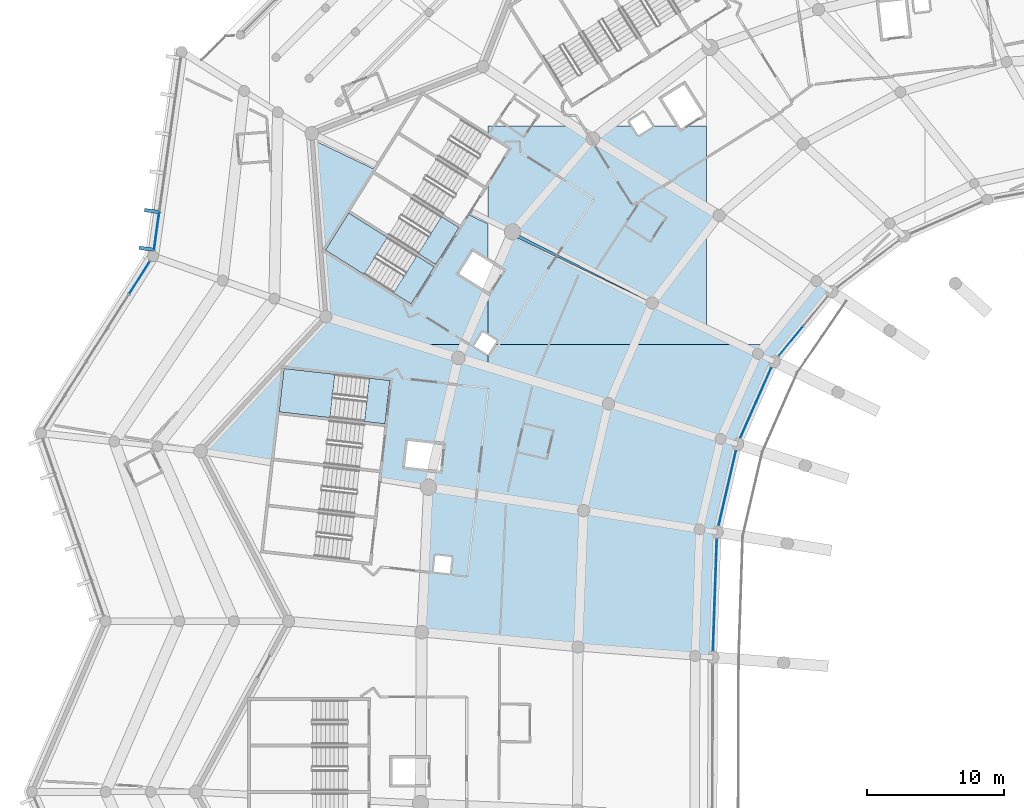
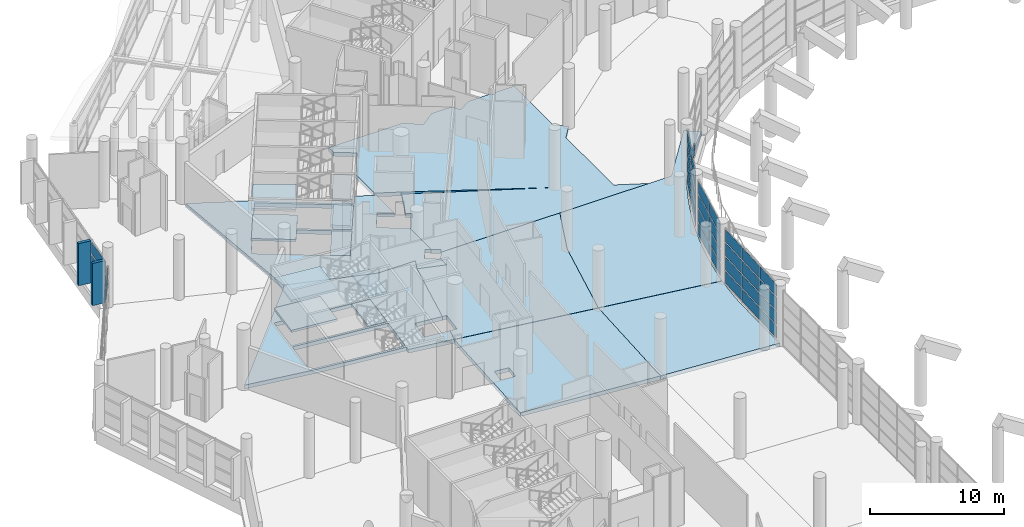
# One storey, part 140 of 271: 35 plates, 18 slabs, 9 elements without a shape of their own.
"""IFC4 building model written with IfcOpenShell, lengths in metres."""

from ifc_helpers import new_model, si_unit, direction, frame, origin, origin_2d, place, context, subcontext, project, spatial, polyline, rectangle, outline, extrude, material, layer, layer_set, type_object, element, aggregate, save


model = new_model("IFC4")

# Units and contexts
model_context = context("Model", 3, precision=1e-05, world=origin(), true_north=direction((0.0, 1.0)))
body_context = subcontext(model_context, "Body", "Model", "MODEL_VIEW")
ifc_project = project(units=[si_unit("LENGTHUNIT", "METRE"), si_unit("AREAUNIT", "SQUARE_METRE"), si_unit("VOLUMEUNIT", "CUBIC_METRE"), si_unit("PLANEANGLEUNIT", "RADIAN"), si_unit("MASSUNIT", "GRAM", prefix="KILO")], contexts=[model_context])

# Site, building, storey
site_placement = place(None, origin())
site = spatial("IfcSite", under=ifc_project, at=site_placement, CompositionType="ELEMENT")
building_placement = place(site_placement, origin())
building = spatial("IfcBuilding", under=site, at=building_placement, Name="Meseta Stadium", CompositionType="ELEMENT")
storey_placement = place(building_placement, frame((0.0, 0.0, 6.5)))
storey = spatial("IfcBuildingStorey", under=building, at=storey_placement, Name="L01", CompositionType="ELEMENT", Elevation=6.5)

# Curtain wall, plate
ifc_material_1 = material(Name="Aluminium", Category="aluminium")
ifc_layer_1 = layer(ifc_material_1, 0.199951171875)
ifc_layer_set_1 = layer_set([ifc_layer_1], Name="Club glazing curtain wall")
curtain_wall_type_1 = type_object("IfcCurtainWallType", Name="Club glazing curtain wall", PredefinedType="NOTDEFINED", material=ifc_layer_set_1)
curtain_wall_1_placement = place(storey_placement, origin())
curtain_wall_1 = element("IfcCurtainWall", 1, at=curtain_wall_1_placement, inside=storey, type_object=curtain_wall_type_1, Name="Club glazing bay 25", PredefinedType="NOTDEFINED")
ifc_material_2 = material(Name="Glass", Category="glass")
ifc_layer_2 = layer(ifc_material_2, 0.028076171875)
ifc_layer_set_2 = layer_set([ifc_layer_2], Name="CW glass panel 28")
plate_type_1 = type_object("IfcPlateType", Name="CW glass panel 28", PredefinedType="CURTAIN_PANEL", material=ifc_layer_set_2)
plate_1_placement = place(storey_placement, frame((-57.818359375, 64.260498046875, 0.1201171875), z_axis=(0.0, 0.0, 1.0), x_axis=(-0.63574102663, -0.771902420685, 0.0)))
plate_1 = element("IfcPlate", 2, at=plate_1_placement, type_object=plate_type_1, Name="CWC panel 2.1", PredefinedType="CURTAIN_PANEL", context=body_context, shape_type="SweptSolid", body=[
    extrude(rectangle(XDim=2.7646484375, YDim=0.028076171875, at=origin_2d()), origin(), (0.0, 0.0, 1.0), 1.107421875),
])
aggregate(curtain_wall_1, [plate_1])

# Curtain wall, plates
curtain_wall_2_placement = place(storey_placement, origin())
curtain_wall_2 = element("IfcCurtainWall", 3, at=curtain_wall_2_placement, inside=storey, type_object=curtain_wall_type_1, Name="Club glazing bay 26", PredefinedType="NOTDEFINED")
plate_2_placement = place(storey_placement, frame((-59.820068359375, 61.021484375, 0.1201171875), z_axis=(0.0, 0.0, 1.0), x_axis=(-0.404230353712, -0.914657215102, 0.0)))
plate_2 = element("IfcPlate", 4, at=plate_2_placement, type_object=plate_type_1, Name="CWC panel 1.1", PredefinedType="CURTAIN_PANEL", context=body_context, shape_type="SweptSolid", body=[
    extrude(rectangle(XDim=2.737060546875, YDim=0.028076171875, at=origin_2d()), origin(), (0.0, 0.0, 1.0), 1.107421875),
])
plate_3_placement = place(storey_placement, frame((-59.820068359375, 61.021484375, 1.347412109375), z_axis=(0.0, 0.0, 1.0), x_axis=(-0.404230353712, -0.914657215102, 0.0)))
plate_3 = element("IfcPlate", 5, at=plate_3_placement, type_object=plate_type_1, Name="CWC panel 1.2", PredefinedType="CURTAIN_PANEL", context=body_context, shape_type="SweptSolid", body=[
    extrude(rectangle(XDim=2.737060546875, YDim=0.028076171875, at=origin_2d()), origin(), (0.0, 0.0, 1.0), 1.16748046875),
])
plate_4_placement = place(storey_placement, frame((-59.820068359375, 61.021484375, 2.635009765625), z_axis=(0.0, 0.0, 1.0), x_axis=(-0.404230353712, -0.914657215102, 0.0)))
plate_4 = element("IfcPlate", 6, at=plate_4_placement, type_object=plate_type_1, Name="CWC panel 1.3", PredefinedType="CURTAIN_PANEL", context=body_context, shape_type="SweptSolid", body=[
    extrude(rectangle(XDim=2.737060546875, YDim=0.028076171875, at=origin_2d()), origin(), (0.0, 0.0, 1.0), 1.16748046875),
])
plate_5_placement = place(storey_placement, frame((-59.820068359375, 61.021484375, 3.922607421875), z_axis=(0.0, 0.0, 1.0), x_axis=(-0.404230353712, -0.914657215102, 0.0)))
plate_5 = element("IfcPlate", 7, at=plate_5_placement, type_object=plate_type_1, Name="CWC panel 1.4", PredefinedType="CURTAIN_PANEL", context=body_context, shape_type="SweptSolid", body=[
    extrude(rectangle(XDim=2.737060546875, YDim=0.028076171875, at=origin_2d()), origin(), (0.0, 0.0, 1.0), 1.107421875),
])
plate_6_placement = place(storey_placement, frame((-60.950927734375, 58.462890625, 0.1201171875), z_axis=(0.0, 0.0, 1.0), x_axis=(-0.404230353712, -0.914657215102, 0.0)))
plate_6 = element("IfcPlate", 8, at=plate_6_placement, type_object=plate_type_1, Name="CWC panel 2.1", PredefinedType="CURTAIN_PANEL", context=body_context, shape_type="SweptSolid", body=[
    extrude(rectangle(XDim=2.737060546875, YDim=0.028076171875, at=origin_2d()), origin(), (0.0, 0.0, 1.0), 1.107421875),
])
plate_7_placement = place(storey_placement, frame((-60.950927734375, 58.462890625, 1.347412109375), z_axis=(0.0, 0.0, 1.0), x_axis=(-0.404230353712, -0.914657215102, 0.0)))
plate_7 = element("IfcPlate", 9, at=plate_7_placement, type_object=plate_type_1, Name="CWC panel 2.2", PredefinedType="CURTAIN_PANEL", context=body_context, shape_type="SweptSolid", body=[
    extrude(rectangle(XDim=2.737060546875, YDim=0.028076171875, at=origin_2d()), origin(), (0.0, 0.0, 1.0), 1.16748046875),
])
plate_8_placement = place(storey_placement, frame((-60.950927734375, 58.462890625, 2.635009765625), z_axis=(0.0, 0.0, 1.0), x_axis=(-0.404230353712, -0.914657215102, 0.0)))
plate_8 = element("IfcPlate", 10, at=plate_8_placement, type_object=plate_type_1, Name="CWC panel 2.3", PredefinedType="CURTAIN_PANEL", context=body_context, shape_type="SweptSolid", body=[
    extrude(rectangle(XDim=2.737060546875, YDim=0.028076171875, at=origin_2d()), origin(), (0.0, 0.0, 1.0), 1.16748046875),
])
plate_9_placement = place(storey_placement, frame((-60.950927734375, 58.462890625, 3.922607421875), z_axis=(0.0, 0.0, 1.0), x_axis=(-0.404230353712, -0.914657215102, 0.0)))
plate_9 = element("IfcPlate", 11, at=plate_9_placement, type_object=plate_type_1, Name="CWC panel 2.4", PredefinedType="CURTAIN_PANEL", context=body_context, shape_type="SweptSolid", body=[
    extrude(rectangle(XDim=2.737060546875, YDim=0.028076171875, at=origin_2d()), origin(), (0.0, 0.0, 1.0), 1.107421875),
])
aggregate(curtain_wall_2, [plate_2, plate_3, plate_4, plate_5, plate_6, plate_7, plate_8, plate_9])

curtain_wall_3_placement = place(storey_placement, origin())
curtain_wall_3 = element("IfcCurtainWall", 12, at=curtain_wall_3_placement, inside=storey, type_object=curtain_wall_type_1, Name="Club glazing bay 27", PredefinedType="NOTDEFINED")
plate_10_placement = place(storey_placement, frame((-62.154541015625, 54.856201171875, 0.1201171875), z_axis=(0.0, 0.0, 1.0), x_axis=(-0.226048245529, -0.974116107399, 0.0)))
plate_10 = element("IfcPlate", 13, at=plate_10_placement, type_object=plate_type_1, Name="CWC panel 1.1", PredefinedType="CURTAIN_PANEL", context=body_context, shape_type="SweptSolid", body=[
    extrude(rectangle(XDim=2.736572265625, YDim=0.028076171875, at=origin_2d()), origin(), (0.0, 0.0, 1.0), 1.107421875),
])
plate_11_placement = place(storey_placement, frame((-62.154541015625, 54.856201171875, 1.347412109375), z_axis=(0.0, 0.0, 1.0), x_axis=(-0.226048245529, -0.974116107399, 0.0)))
plate_11 = element("IfcPlate", 14, at=plate_11_placement, type_object=plate_type_1, Name="CWC panel 1.2", PredefinedType="CURTAIN_PANEL", context=body_context, shape_type="SweptSolid", body=[
    extrude(rectangle(XDim=2.736572265625, YDim=0.028076171875, at=origin_2d()), origin(), (0.0, 0.0, 1.0), 1.16748046875),
])
plate_12_placement = place(storey_placement, frame((-62.154541015625, 54.856201171875, 2.635009765625), z_axis=(0.0, 0.0, 1.0), x_axis=(-0.226048245529, -0.974116107399, 0.0)))
plate_12 = element("IfcPlate", 15, at=plate_12_placement, type_object=plate_type_1, Name="CWC panel 1.3", PredefinedType="CURTAIN_PANEL", context=body_context, shape_type="SweptSolid", body=[
    extrude(rectangle(XDim=2.736572265625, YDim=0.028076171875, at=origin_2d()), origin(), (0.0, 0.0, 1.0), 1.16748046875),
])
plate_13_placement = place(storey_placement, frame((-62.154541015625, 54.856201171875, 3.922607421875), z_axis=(0.0, 0.0, 1.0), x_axis=(-0.226048245529, -0.974116107399, 0.0)))
plate_13 = element("IfcPlate", 16, at=plate_13_placement, type_object=plate_type_1, Name="CWC panel 1.4", PredefinedType="CURTAIN_PANEL", context=body_context, shape_type="SweptSolid", body=[
    extrude(rectangle(XDim=2.736572265625, YDim=0.028076171875, at=origin_2d()), origin(), (0.0, 0.0, 1.0), 1.107421875),
])
plate_14_placement = place(storey_placement, frame((-62.786865234375, 52.132080078125, 0.1201171875), z_axis=(0.0, 0.0, 1.0), x_axis=(-0.226048245529, -0.974116107399, 0.0)))
plate_14 = element("IfcPlate", 17, at=plate_14_placement, type_object=plate_type_1, Name="CWC panel 2.1", PredefinedType="CURTAIN_PANEL", context=body_context, shape_type="SweptSolid", body=[
    extrude(rectangle(XDim=2.736572265625, YDim=0.028076171875, at=origin_2d()), origin(), (0.0, 0.0, 1.0), 1.107421875),
])
plate_15_placement = place(storey_placement, frame((-62.786865234375, 52.132080078125, 1.347412109375), z_axis=(0.0, 0.0, 1.0), x_axis=(-0.226048245529, -0.974116107399, 0.0)))
plate_15 = element("IfcPlate", 18, at=plate_15_placement, type_object=plate_type_1, Name="CWC panel 2.2", PredefinedType="CURTAIN_PANEL", context=body_context, shape_type="SweptSolid", body=[
    extrude(rectangle(XDim=2.736572265625, YDim=0.028076171875, at=origin_2d()), origin(), (0.0, 0.0, 1.0), 1.16748046875),
])
plate_16_placement = place(storey_placement, frame((-62.786865234375, 52.132080078125, 2.635009765625), z_axis=(0.0, 0.0, 1.0), x_axis=(-0.226048245529, -0.974116107399, 0.0)))
plate_16 = element("IfcPlate", 19, at=plate_16_placement, type_object=plate_type_1, Name="CWC panel 2.3", PredefinedType="CURTAIN_PANEL", context=body_context, shape_type="SweptSolid", body=[
    extrude(rectangle(XDim=2.736572265625, YDim=0.028076171875, at=origin_2d()), origin(), (0.0, 0.0, 1.0), 1.16748046875),
])
plate_17_placement = place(storey_placement, frame((-62.786865234375, 52.132080078125, 3.922607421875), z_axis=(0.0, 0.0, 1.0), x_axis=(-0.226048245529, -0.974116107399, 0.0)))
plate_17 = element("IfcPlate", 20, at=plate_17_placement, type_object=plate_type_1, Name="CWC panel 2.4", PredefinedType="CURTAIN_PANEL", context=body_context, shape_type="SweptSolid", body=[
    extrude(rectangle(XDim=2.736572265625, YDim=0.028076171875, at=origin_2d()), origin(), (0.0, 0.0, 1.0), 1.107421875),
])
aggregate(curtain_wall_3, [plate_10, plate_11, plate_12, plate_13, plate_14, plate_15, plate_16, plate_17])

curtain_wall_4_placement = place(storey_placement, origin())
curtain_wall_4 = element("IfcCurtainWall", 21, at=curtain_wall_4_placement, inside=storey, type_object=curtain_wall_type_1, Name="Club glazing bay 28", PredefinedType="NOTDEFINED")
plate_18_placement = place(storey_placement, frame((-63.282470703125, 48.40283203125, 0.1201171875), z_axis=(0.0, 0.0, 1.0), x_axis=(-0.034398287063, -0.999408203812, 0.0)))
plate_18 = element("IfcPlate", 22, at=plate_18_placement, type_object=plate_type_1, Name="CWC panel 1.1", PredefinedType="CURTAIN_PANEL", context=body_context, shape_type="SweptSolid", body=[
    extrude(rectangle(XDim=2.6572265625, YDim=0.028076171875, at=origin_2d()), origin(), (0.0, 0.0, 1.0), 1.107421875),
])
plate_19_placement = place(storey_placement, frame((-63.282470703125, 48.40283203125, 1.347412109375), z_axis=(0.0, 0.0, 1.0), x_axis=(-0.034398287063, -0.999408203812, 0.0)))
plate_19 = element("IfcPlate", 23, at=plate_19_placement, type_object=plate_type_1, Name="CWC panel 1.2", PredefinedType="CURTAIN_PANEL", context=body_context, shape_type="SweptSolid", body=[
    extrude(rectangle(XDim=2.6572265625, YDim=0.028076171875, at=origin_2d()), origin(), (0.0, 0.0, 1.0), 1.16748046875),
])
plate_20_placement = place(storey_placement, frame((-63.282470703125, 48.40283203125, 2.635009765625), z_axis=(0.0, 0.0, 1.0), x_axis=(-0.034398287063, -0.999408203812, 0.0)))
plate_20 = element("IfcPlate", 24, at=plate_20_placement, type_object=plate_type_1, Name="CWC panel 1.3", PredefinedType="CURTAIN_PANEL", context=body_context, shape_type="SweptSolid", body=[
    extrude(rectangle(XDim=2.6572265625, YDim=0.028076171875, at=origin_2d()), origin(), (0.0, 0.0, 1.0), 1.16748046875),
])
plate_21_placement = place(storey_placement, frame((-63.282470703125, 48.40283203125, 3.922607421875), z_axis=(0.0, 0.0, 1.0), x_axis=(-0.034398287063, -0.999408203812, 0.0)))
plate_21 = element("IfcPlate", 25, at=plate_21_placement, type_object=plate_type_1, Name="CWC panel 1.4", PredefinedType="CURTAIN_PANEL", context=body_context, shape_type="SweptSolid", body=[
    extrude(rectangle(XDim=2.6572265625, YDim=0.028076171875, at=origin_2d()), origin(), (0.0, 0.0, 1.0), 1.107421875),
])
plate_22_placement = place(storey_placement, frame((-63.37646484375, 45.672119140625, 0.1201171875), z_axis=(0.0, 0.0, 1.0), x_axis=(-0.034398287063, -0.999408203812, 0.0)))
plate_22 = element("IfcPlate", 26, at=plate_22_placement, type_object=plate_type_1, Name="CWC panel 2.1", PredefinedType="CURTAIN_PANEL", context=body_context, shape_type="SweptSolid", body=[
    extrude(rectangle(XDim=2.687255859375, YDim=0.028076171875, at=origin_2d()), origin(), (0.0, 0.0, 1.0), 1.107421875),
])
plate_23_placement = place(storey_placement, frame((-63.37646484375, 45.672119140625, 1.347412109375), z_axis=(0.0, 0.0, 1.0), x_axis=(-0.034398287063, -0.999408203812, 0.0)))
plate_23 = element("IfcPlate", 27, at=plate_23_placement, type_object=plate_type_1, Name="CWC panel 2.2", PredefinedType="CURTAIN_PANEL", context=body_context, shape_type="SweptSolid", body=[
    extrude(rectangle(XDim=2.687255859375, YDim=0.028076171875, at=origin_2d()), origin(), (0.0, 0.0, 1.0), 1.16748046875),
])
plate_24_placement = place(storey_placement, frame((-63.37646484375, 45.672119140625, 2.635009765625), z_axis=(0.0, 0.0, 1.0), x_axis=(-0.034398287063, -0.999408203812, 0.0)))
plate_24 = element("IfcPlate", 28, at=plate_24_placement, type_object=plate_type_1, Name="CWC panel 2.3", PredefinedType="CURTAIN_PANEL", context=body_context, shape_type="SweptSolid", body=[
    extrude(rectangle(XDim=2.687255859375, YDim=0.028076171875, at=origin_2d()), origin(), (0.0, 0.0, 1.0), 1.16748046875),
])
plate_25_placement = place(storey_placement, frame((-63.37646484375, 45.672119140625, 3.922607421875), z_axis=(0.0, 0.0, 1.0), x_axis=(-0.034398287063, -0.999408203812, 0.0)))
plate_25 = element("IfcPlate", 29, at=plate_25_placement, type_object=plate_type_1, Name="CWC panel 2.4", PredefinedType="CURTAIN_PANEL", context=body_context, shape_type="SweptSolid", body=[
    extrude(rectangle(XDim=2.687255859375, YDim=0.028076171875, at=origin_2d()), origin(), (0.0, 0.0, 1.0), 1.107421875),
])
plate_26_placement = place(storey_placement, frame((-63.470458984375, 42.941650390625, 0.1201171875), z_axis=(0.0, 0.0, 1.0), x_axis=(-0.034398287063, -0.999408203812, 0.0)))
plate_26 = element("IfcPlate", 30, at=plate_26_placement, type_object=plate_type_1, Name="CWC panel 3.1", PredefinedType="CURTAIN_PANEL", context=body_context, shape_type="SweptSolid", body=[
    extrude(rectangle(XDim=2.6572265625, YDim=0.028076171875, at=origin_2d()), origin(), (0.0, 0.0, 1.0), 1.107421875),
])
plate_27_placement = place(storey_placement, frame((-63.470458984375, 42.941650390625, 1.347412109375), z_axis=(0.0, 0.0, 1.0), x_axis=(-0.034398287063, -0.999408203812, 0.0)))
plate_27 = element("IfcPlate", 31, at=plate_27_placement, type_object=plate_type_1, Name="CWC panel 3.2", PredefinedType="CURTAIN_PANEL", context=body_context, shape_type="SweptSolid", body=[
    extrude(rectangle(XDim=2.6572265625, YDim=0.028076171875, at=origin_2d()), origin(), (0.0, 0.0, 1.0), 1.16748046875),
])
plate_28_placement = place(storey_placement, frame((-63.470458984375, 42.941650390625, 2.635009765625), z_axis=(0.0, 0.0, 1.0), x_axis=(-0.034398287063, -0.999408203812, 0.0)))
plate_28 = element("IfcPlate", 32, at=plate_28_placement, type_object=plate_type_1, Name="CWC panel 3.3", PredefinedType="CURTAIN_PANEL", context=body_context, shape_type="SweptSolid", body=[
    extrude(rectangle(XDim=2.6572265625, YDim=0.028076171875, at=origin_2d()), origin(), (0.0, 0.0, 1.0), 1.16748046875),
])
plate_29_placement = place(storey_placement, frame((-63.470458984375, 42.941650390625, 3.922607421875), z_axis=(0.0, 0.0, 1.0), x_axis=(-0.034398287063, -0.999408203812, 0.0)))
plate_29 = element("IfcPlate", 33, at=plate_29_placement, type_object=plate_type_1, Name="CWC panel 3.4", PredefinedType="CURTAIN_PANEL", context=body_context, shape_type="SweptSolid", body=[
    extrude(rectangle(XDim=2.6572265625, YDim=0.028076171875, at=origin_2d()), origin(), (0.0, 0.0, 1.0), 1.107421875),
])
aggregate(curtain_wall_4, [plate_18, plate_19, plate_20, plate_21, plate_22, plate_23, plate_24, plate_25, plate_26, plate_27, plate_28, plate_29])

# Slabs
ifc_material_3 = material(Name="Concrete C40/50", Category="concrete")
ifc_layer_3 = layer(ifc_material_3, 0.35009765625)
ifc_layer_set_3 = layer_set([ifc_layer_3], Name="Floor slab 350")
slab_type_1 = type_object("IfcSlabType", Name="Floor slab 350", PredefinedType="FLOOR", material=ifc_layer_set_3)
slab_1_placement = place(storey_placement, frame((0.0, 0.0, -0.35009765625)))
element("IfcSlab", 34, at=slab_1_placement, inside=storey, type_object=slab_type_1, Name="Floor slab L01 sector 21 panel 01", PredefinedType="FLOOR", context=body_context, shape_type="SweptSolid", body=[
    extrude(outline(polyline([(-87.94580078125, 54.62548828125), (-87.985595703125, 54.272216796875), (-84.335693359375, 53.684326171875), (-84.0673828125, 54.842529296875), (-86.08447265625, 55.06982421875), (-85.87158203125, 56.9580078125), (-83.635498046875, 56.7060546875), (-82.169189453125, 63.03369140625), (-81.75390625, 64.0), (-84.956787109375, 64.0), (-91.8818359375, 66.171142578125), (-91.872802734375, 66.051513671875), (-100.910888671875, 56.353759765625), (-95.3837890625, 55.463623046875), (-87.94580078125, 54.62548828125)]), holes=[polyline([(-95.67431640625, 55.697509765625), (-95.316162109375, 58.87744140625), (-87.565185546875, 58.004150390625), (-87.923583984375, 54.82421875), (-95.67431640625, 55.697509765625)]), polyline([(-95.293701171875, 59.076171875), (-94.935302734375, 62.256103515625), (-87.1845703125, 61.3828125), (-87.542724609375, 58.202880859375), (-95.293701171875, 59.076171875)])]), origin(), (0.0, 0.0, 1.0), 0.35009765625),
])
slab_2_placement = place(storey_placement, frame((0.0, 0.0, -0.35009765625)))
element("IfcSlab", 35, at=slab_2_placement, inside=storey, type_object=slab_type_1, Name="Floor slab L01 sector 21 panel 02", PredefinedType="FLOOR", context=body_context, shape_type="SweptSolid", body=[
    extrude(outline(polyline([(-80.0, 70.12353515625), (-80.0, 72.84228515625), (-81.504150390625, 73.565673828125), (-82.01708984375, 72.749267578125), (-88.282958984375, 76.686279296875), (-88.2158203125, 76.793212890625), (-92.87451171875, 79.03369140625), (-91.8818359375, 66.171142578125), (-84.956787109375, 64.0), (-81.75390625, 64.0), (-82.169189453125, 63.03369140625), (-80.0, 62.371826171875), (-80.0, 63.273681640625), (-81.015625, 63.91162109375), (-80.377197265625, 64.927734375), (-80.0, 64.69091796875), (-80.0, 67.879638671875), (-82.11572265625, 69.208984375), (-81.10498046875, 70.81787109375), (-80.0, 70.12353515625)]), holes=[polyline([(-91.90087890625, 70.9287109375), (-90.1982421875, 73.63818359375), (-83.9326171875, 69.700927734375), (-85.635009765625, 66.991455078125), (-91.90087890625, 70.9287109375)]), polyline([(-90.091796875, 73.807373046875), (-88.389404296875, 76.516845703125), (-82.123779296875, 72.579833984375), (-83.826171875, 69.870361328125), (-90.091796875, 73.807373046875)])]), origin(), (0.0, 0.0, 1.0), 0.35009765625),
])
slab_3_placement = place(storey_placement, frame((0.0, 0.0, -0.35009765625)))
element("IfcSlab", 36, at=slab_3_placement, inside=storey, type_object=slab_type_1, Name="Floor slab L01 sector 21 panel 04", PredefinedType="FLOOR", context=body_context, shape_type="SweptSolid", body=[
    extrude(outline(polyline([(-80.0, 62.371826171875), (-82.169189453125, 63.03369140625), (-83.635498046875, 56.7060546875), (-83.2880859375, 56.6669921875), (-83.500732421875, 54.77880859375), (-84.0673828125, 54.842529296875), (-84.335693359375, 53.684326171875), (-72.989990234375, 51.85693359375), (-71.169677734375, 59.67724609375), (-69.297119140625, 64.0), (-79.54296875, 64.0), (-79.99951171875, 63.273193359375), (-80.0, 62.371826171875)])), origin(), (0.0, 0.0, 1.0), 0.35009765625),
])
slab_4_placement = place(storey_placement, frame((0.0, 0.0, -0.35009765625)))
element("IfcSlab", 37, at=slab_4_placement, inside=storey, type_object=slab_type_1, Name="Floor slab L01 sector 21 panel 05", PredefinedType="FLOOR", context=body_context, shape_type="SweptSolid", body=[
    extrude(outline(polyline([(-67.973388671875, 67.058349609375), (-78.197998046875, 72.27197265625), (-78.303466796875, 72.0263671875), (-67.973388671875, 67.058349609375)])), origin(), (0.0, 0.0, 1.0), 0.35009765625),
])
slab_5_placement = place(storey_placement, frame((0.0, 0.0, -0.35009765625)))
element("IfcSlab", 38, at=slab_5_placement, inside=storey, type_object=slab_type_1, Name="Floor slab L01 sector 21 panel 06", PredefinedType="FLOOR", context=body_context, shape_type="SweptSolid", body=[
    extrude(outline(polyline([(-67.967041015625, 79.9794921875), (-68.983154296875, 79.341064453125), (-69.397216796875, 80.0), (-71.144287109375, 80.0), (-72.31201171875, 79.091064453125), (-73.699951171875, 80.0), (-80.0, 80.0), (-80.0, 79.276611328125), (-78.505859375, 78.337646484375), (-80.0, 75.959716796875), (-80.0, 73.154296875), (-78.197998046875, 72.27197265625), (-67.972412109375, 67.057861328125), (-78.303466796875, 72.0263671875), (-79.308349609375, 69.68896484375), (-78.903564453125, 69.4345703125), (-79.914306640625, 67.82568359375), (-80.0, 67.879638671875), (-80.0, 64.69091796875), (-79.361083984375, 64.289306640625), (-79.54296875, 64.0), (-61.6142578125, 64.0), (-64.0, 65.1474609375), (-64.0, 72.251708984375), (-63.068115234375, 73.469970703125), (-64.0, 74.098876953125), (-64.0, 80.0), (-65.585205078125, 80.0), (-65.86279296875, 79.82568359375), (-65.972412109375, 80.0), (-67.97998046875, 80.0), (-67.967041015625, 79.9794921875)])), origin(), (0.0, 0.0, 1.0), 0.35009765625),
])
slab_6_placement = place(storey_placement, frame((0.0, 0.0, -0.35009765625)))
element("IfcSlab", 39, at=slab_6_placement, inside=storey, type_object=slab_type_1, Name="Floor slab L01 sector 21 panel 08", PredefinedType="FLOOR", context=body_context, shape_type="SweptSolid", body=[
    extrude(outline(polyline([(-59.049072265625, 62.766357421875), (-58.428955078125, 63.688232421875), (-57.773681640625, 64.585693359375), (-57.083984375, 65.456787109375), (-56.361083984375, 66.30078125), (-55.60595703125, 67.1162109375), (-54.819580078125, 67.901611328125), (-55.940185546875, 68.658203125), (-59.68408203125, 64.0), (-69.297119140625, 64.0), (-71.169677734375, 59.67724609375), (-72.989990234375, 51.85693359375), (-63.216796875, 50.282958984375), (-63.052001953125, 51.3642578125), (-62.8525390625, 52.449951171875), (-62.61962890625, 53.52880859375), (-62.353515625, 54.60009765625), (-62.0546875, 55.66259765625), (-61.72314453125, 56.715576171875), (-61.359375, 57.7578125), (-60.96337890625, 58.7880859375), (-60.535888671875, 59.80615234375), (-60.077392578125, 60.810791015625), (-59.587890625, 61.80078125), (-59.049072265625, 62.766357421875)])), origin(), (0.0, 0.0, 1.0), 0.35009765625),
])
slab_7_placement = place(storey_placement, frame((0.0, 0.0, -0.35009765625)))
element("IfcSlab", 40, at=slab_7_placement, inside=storey, type_object=slab_type_1, Name="Floor slab L01 sector 28 panel 14", PredefinedType="FLOOR", context=body_context, shape_type="SweptSolid", body=[
    extrude(outline(polyline([(-72.99267578125, 51.837158203125), (-84.34033203125, 53.664794921875), (-84.36328125, 53.5654296875), (-84.85400390625, 42.948486328125), (-73.40478515625, 41.8623046875), (-72.99267578125, 51.837158203125)]), holes=[polyline([(-83.84716796875, 48.57861328125), (-82.65478515625, 48.444091796875), (-82.7890625, 47.251708984375), (-83.9814453125, 47.385986328125), (-83.84716796875, 48.57861328125)])]), origin(), (0.0, 0.0, 1.0), 0.35009765625),
])
slab_8_placement = place(storey_placement, frame((0.0, 0.0, -0.35009765625)))
element("IfcSlab", 41, at=slab_8_placement, inside=storey, type_object=slab_type_1, Name="Floor slab L01 sector 28 panel 21", PredefinedType="FLOOR", context=body_context, shape_type="SweptSolid", body=[
    extrude(outline(polyline([(-72.99267578125, 51.837158203125), (-73.40478515625, 41.8623046875), (-63.53369140625, 41.1044921875), (-63.513427734375, 46.974853515625), (-63.448974609375, 48.077392578125), (-63.3505859375, 49.177001953125), (-63.219482421875, 50.26318359375), (-72.99267578125, 51.837158203125)])), origin(), (0.0, 0.0, 1.0), 0.35009765625),
])

# Curtain wall, plates
ifc_material_4 = material(Name="Aluminium", Category="aluminium")
ifc_layer_4 = layer(ifc_material_4, 0.199951171875)
ifc_layer_set_4 = layer_set([ifc_layer_4], Name="Ring shopfront curtain wall")
curtain_wall_type_2 = type_object("IfcCurtainWallType", Name="Ring shopfront curtain wall", PredefinedType="NOTDEFINED", material=ifc_layer_set_4)
curtain_wall_5_placement = place(storey_placement, origin())
curtain_wall_5 = element("IfcCurtainWall", 42, at=curtain_wall_5_placement, inside=storey, type_object=curtain_wall_type_2, Name="Ring glazing L01 F26", PredefinedType="NOTDEFINED")
ifc_material_5 = material(Name="Glass", Category="glass")
ifc_layer_5 = layer(ifc_material_5, 0.035888671875)
ifc_layer_set_5 = layer_set([ifc_layer_5], Name="Ring CW glass panel 36")
plate_type_2 = type_object("IfcPlateType", Name="Ring CW glass panel 36", PredefinedType="CURTAIN_PANEL", material=ifc_layer_set_5)
plate_30_placement = place(storey_placement, frame((-104.2646484375, 72.306640625, 0.14990234375), z_axis=(0.0, 0.0, 1.0), x_axis=(-0.13864277713, -0.990342456098, 0.0)))
plate_30 = element("IfcPlate", 43, at=plate_30_placement, type_object=plate_type_2, Name="CWR1 panel 5.1", PredefinedType="CURTAIN_PANEL", context=body_context, shape_type="SweptSolid", body=[
    extrude(rectangle(XDim=2.7744140625, YDim=0.035888671875, at=origin_2d()), origin(), (0.0, 0.0, 1.0), 1.058349609375),
])
plate_31_placement = place(storey_placement, frame((-104.2646484375, 72.306640625, 1.3583984375), z_axis=(0.0, 0.0, 1.0), x_axis=(-0.13864277713, -0.990342456098, 0.0)))
plate_31 = element("IfcPlate", 44, at=plate_31_placement, type_object=plate_type_2, Name="CWR1 panel 5.2", PredefinedType="CURTAIN_PANEL", context=body_context, shape_type="SweptSolid", body=[
    extrude(rectangle(XDim=2.7744140625, YDim=0.035888671875, at=origin_2d()), origin(), (0.0, 0.0, 1.0), 1.13330078125),
])
plate_32_placement = place(storey_placement, frame((-104.2646484375, 72.306640625, 2.6416015625), z_axis=(0.0, 0.0, 1.0), x_axis=(-0.13864277713, -0.990342456098, 0.0)))
plate_32 = element("IfcPlate", 45, at=plate_32_placement, type_object=plate_type_2, Name="CWR1 panel 5.3", PredefinedType="CURTAIN_PANEL", context=body_context, shape_type="SweptSolid", body=[
    extrude(rectangle(XDim=2.7744140625, YDim=0.035888671875, at=origin_2d()), origin(), (0.0, 0.0, 1.0), 1.058349609375),
])
aggregate(curtain_wall_5, [plate_30, plate_31, plate_32])

# Curtain wall, plate
curtain_wall_6_placement = place(storey_placement, origin())
curtain_wall_6 = element("IfcCurtainWall", 46, at=curtain_wall_6_placement, inside=storey, type_object=curtain_wall_type_2, Name="Ring glazing L01 F27", PredefinedType="NOTDEFINED")
plate_33_placement = place(storey_placement, frame((-105.52197265625, 68.898681640625, 2.6416015625), z_axis=(0.0, 0.0, 1.0), x_axis=(-0.535569055659, -0.844491436677, 0.0)))
plate_33 = element("IfcPlate", 47, at=plate_33_placement, type_object=plate_type_2, Name="CWR1 panel 1.3", PredefinedType="CURTAIN_PANEL", context=body_context, shape_type="SweptSolid", body=[
    extrude(rectangle(XDim=2.81884765625, YDim=0.035888671875, at=origin_2d()), origin(), (0.0, 0.0, 1.0), 1.058349609375),
])
aggregate(curtain_wall_6, [plate_33])

# Plates
ifc_material_6 = material(Name="Precast concrete C40/50", Category="concrete")
ifc_layer_6 = layer(ifc_material_6, 0.25)
ifc_layer_set_6 = layer_set([ifc_layer_6], Name="Ring brise-soleil fin 250x1000")
plate_type_3 = type_object("IfcPlateType", Name="Ring brise-soleil fin 250x1000", PredefinedType="USERDEFINED", material=ifc_layer_set_6)
for number, where, z_axis, x_axis, name in (
    (48, (-104.662353515625, 73.79345703125, 0.0), (0.0, 0.0, 1.0), (-0.138640750978, -0.990342739746, 0.0), "Brise-soleil fin L01 F26.5"),
    (49, (-105.049072265625, 71.031005859375, 0.0), (0.0, 0.0, 1.0), (-0.138640750978, -0.990342739746, 0.0), "Brise-soleil fin L01 F26.6"),
):
    element("IfcPlate", number, at=place(storey_placement, frame(where, z_axis=z_axis, x_axis=x_axis)), inside=storey, type_object=plate_type_3, Name=name, ObjectType="FIN", PredefinedType="USERDEFINED", context=body_context, shape_type="SweptSolid", body=[
        extrude(rectangle(XDim=0.25, YDim=1.0, at=origin_2d()), origin(), (0.0, 0.0, 1.0), 3.85009765625),
    ])

# Stair, slabs
ifc_material_7 = material(Name="Concrete C40/50", Category="concrete")
stair_type = type_object("IfcStairType", Name="Exit stair 4 flights 153 mm risers", PredefinedType="HALF_TURN_STAIR", material=ifc_material_7)
stair_1_placement = place(storey_placement, origin())
stair_1 = element("IfcStair", 50, at=stair_1_placement, inside=storey, type_object=stair_type, Name="ST55 L01", PredefinedType="HALF_TURN_STAIR")
ifc_material_8 = material(Name="Concrete C40/50", Category="concrete")
ifc_layer_7 = layer(ifc_material_8, 0.199951171875)
ifc_layer_set_7 = layer_set([ifc_layer_7], Name="Stair landing 200")
slab_type_2 = type_object("IfcSlabType", Name="Stair landing 200", PredefinedType="LANDING", material=ifc_layer_set_7)
slab_9_placement = place(storey_placement, frame((0.0, 0.0, 2.550048828125)))
slab_9 = element("IfcSlab", 51, at=slab_9_placement, type_object=slab_type_2, Name="ST55 L01 landing 2", PredefinedType="LANDING", context=body_context, shape_type="SweptSolid", body=[
    extrude(outline(polyline([(-82.12353515625, 72.579833984375), (-83.402099609375, 73.38330078125), (-85.104736328125, 70.673828125), (-83.826171875, 69.870361328125), (-82.12353515625, 72.579833984375)])), origin(), (0.0, 0.0, 1.0), 0.199951171875),
])
slab_10_placement = place(storey_placement, frame((0.0, 0.0, -0.199951171875)))
slab_10 = element("IfcSlab", 52, at=slab_10_placement, type_object=slab_type_2, Name="ST55 L01 landing 4", PredefinedType="LANDING", context=body_context, shape_type="SweptSolid", body=[
    extrude(outline(polyline([(-82.12353515625, 72.579833984375), (-83.402099609375, 73.38330078125), (-85.104736328125, 70.673828125), (-83.826171875, 69.870361328125), (-82.12353515625, 72.579833984375)])), origin(), (0.0, 0.0, 1.0), 0.199951171875),
])
aggregate(stair_1, [slab_9, slab_10])

stair_2_placement = place(storey_placement, origin())
stair_2 = element("IfcStair", 53, at=stair_2_placement, inside=storey, type_object=stair_type, Name="ST56 L01", PredefinedType="HALF_TURN_STAIR")
slab_11_placement = place(storey_placement, frame((0.0, 0.0, 1.175048828125)))
slab_11 = element("IfcSlab", 54, at=slab_11_placement, type_object=slab_type_2, Name="ST56 L01 landing 1", PredefinedType="LANDING", context=body_context, shape_type="SweptSolid", body=[
    extrude(outline(polyline([(-87.36181640625, 71.855712890625), (-90.1982421875, 73.63818359375), (-91.90087890625, 70.928466796875), (-89.064208984375, 69.146240234375), (-87.36181640625, 71.855712890625)])), origin(), (0.0, 0.0, 1.0), 0.199951171875),
])
slab_12_placement = place(storey_placement, frame((0.0, 0.0, 2.550048828125)))
slab_12 = element("IfcSlab", 55, at=slab_12_placement, type_object=slab_type_2, Name="ST56 L01 landing 2", PredefinedType="LANDING", context=body_context, shape_type="SweptSolid", body=[
    extrude(outline(polyline([(-83.9326171875, 69.700927734375), (-85.211181640625, 70.50439453125), (-86.91357421875, 67.794921875), (-85.635009765625, 66.991455078125), (-83.9326171875, 69.700927734375)])), origin(), (0.0, 0.0, 1.0), 0.199951171875),
])
slab_13_placement = place(storey_placement, frame((0.0, 0.0, 3.925048828125)))
slab_13 = element("IfcSlab", 56, at=slab_13_placement, type_object=slab_type_2, Name="ST56 L01 landing 3", PredefinedType="LANDING", context=body_context, shape_type="SweptSolid", body=[
    extrude(outline(polyline([(-87.36181640625, 71.855712890625), (-90.1982421875, 73.63818359375), (-91.90087890625, 70.928466796875), (-89.064208984375, 69.146240234375), (-87.36181640625, 71.855712890625)])), origin(), (0.0, 0.0, 1.0), 0.199951171875),
])
slab_14_placement = place(storey_placement, frame((0.0, 0.0, -0.199951171875)))
slab_14 = element("IfcSlab", 57, at=slab_14_placement, type_object=slab_type_2, Name="ST56 L01 landing 4", PredefinedType="LANDING", context=body_context, shape_type="SweptSolid", body=[
    extrude(outline(polyline([(-83.9326171875, 69.700927734375), (-85.211181640625, 70.50439453125), (-86.91357421875, 67.794921875), (-85.635009765625, 66.991455078125), (-83.9326171875, 69.700927734375)])), origin(), (0.0, 0.0, 1.0), 0.199951171875),
])
aggregate(stair_2, [slab_11, slab_12, slab_13, slab_14])

stair_3_placement = place(storey_placement, origin())
stair_3 = element("IfcStair", 58, at=stair_3_placement, inside=storey, type_object=stair_type, Name="ST57 L01", PredefinedType="HALF_TURN_STAIR")
slab_15_placement = place(storey_placement, frame((0.0, 0.0, 1.175048828125)))
slab_15 = element("IfcSlab", 59, at=slab_15_placement, type_object=slab_type_2, Name="ST57 L01 landing 1", PredefinedType="LANDING", context=body_context, shape_type="SweptSolid", body=[
    extrude(outline(polyline([(-91.208984375, 61.836181640625), (-94.935546875, 62.256103515625), (-95.293701171875, 59.076171875), (-91.5673828125, 58.65625), (-91.208984375, 61.836181640625)])), origin(), (0.0, 0.0, 1.0), 0.199951171875),
])
slab_16_placement = place(storey_placement, frame((0.0, 0.0, 2.550048828125)))
slab_16 = element("IfcSlab", 60, at=slab_16_placement, type_object=slab_type_2, Name="ST57 L01 landing 2", PredefinedType="LANDING", context=body_context, shape_type="SweptSolid", body=[
    extrude(outline(polyline([(-87.1845703125, 61.3828125), (-88.68505859375, 61.5517578125), (-89.043212890625, 58.3720703125), (-87.542724609375, 58.202880859375), (-87.1845703125, 61.3828125)])), origin(), (0.0, 0.0, 1.0), 0.199951171875),
])
slab_17_placement = place(storey_placement, frame((0.0, 0.0, 3.925048828125)))
slab_17 = element("IfcSlab", 61, at=slab_17_placement, type_object=slab_type_2, Name="ST57 L01 landing 3", PredefinedType="LANDING", context=body_context, shape_type="SweptSolid", body=[
    extrude(outline(polyline([(-91.208984375, 61.836181640625), (-94.935546875, 62.256103515625), (-95.293701171875, 59.076171875), (-91.5673828125, 58.65625), (-91.208984375, 61.836181640625)])), origin(), (0.0, 0.0, 1.0), 0.199951171875),
])
slab_18_placement = place(storey_placement, frame((0.0, 0.0, -0.199951171875)))
slab_18 = element("IfcSlab", 62, at=slab_18_placement, type_object=slab_type_2, Name="ST57 L01 landing 4", PredefinedType="LANDING", context=body_context, shape_type="SweptSolid", body=[
    extrude(outline(polyline([(-87.1845703125, 61.3828125), (-88.68505859375, 61.5517578125), (-89.043212890625, 58.3720703125), (-87.542724609375, 58.202880859375), (-87.1845703125, 61.3828125)])), origin(), (0.0, 0.0, 1.0), 0.199951171875),
])
aggregate(stair_3, [slab_15, slab_16, slab_17, slab_18])

save(model, "model.ifc")
